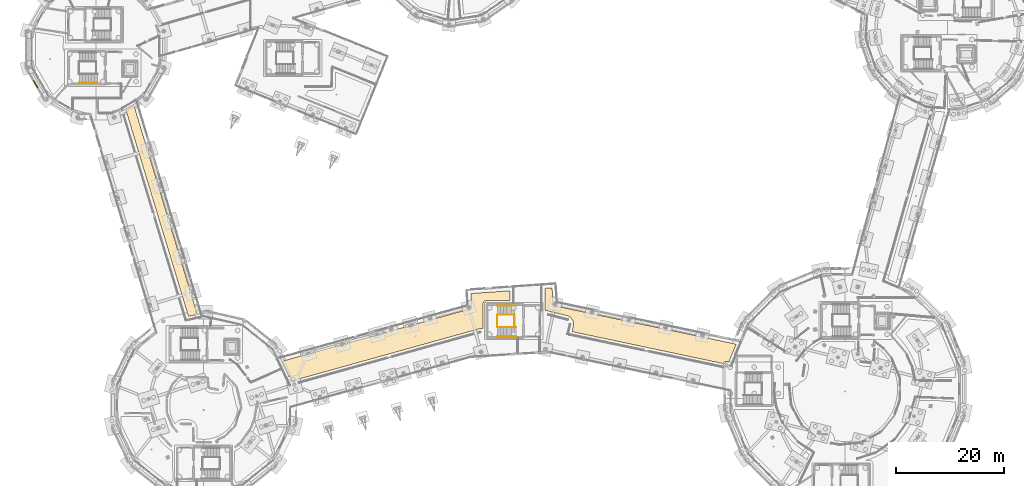
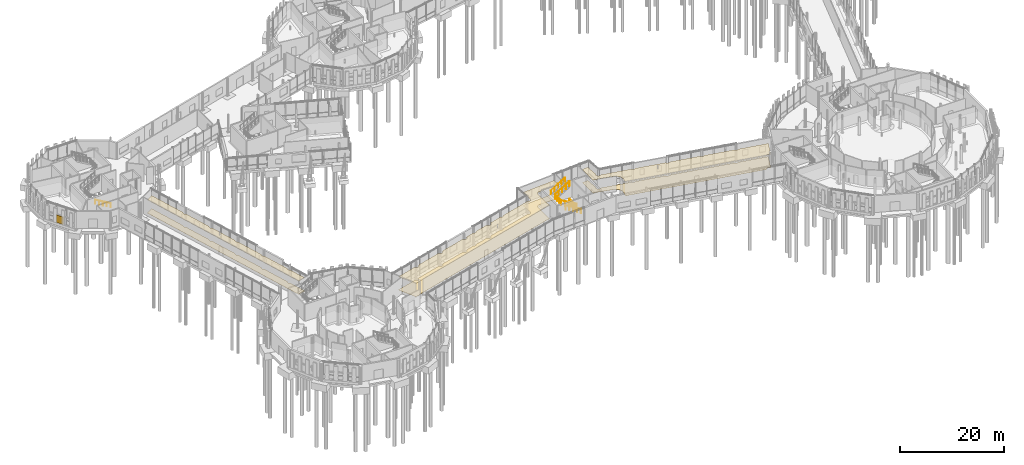
# One storey, part 108 of 113: 7 railings, 6 coverings, 1 shading device.
"""IFC4 building model written with IfcOpenShell, lengths in metres."""

from ifc_helpers import new_model, si_unit, direction, frame, origin, origin_2d, place, context, subcontext, project, spatial, polyline, rectangle, circle, outline, extrude, material, layer, layer_set, type_object, element, save


model = new_model("IFC4")

# Units and contexts
model_context = context("Model", 3, precision=1e-05, world=origin(), true_north=direction((0.0, 1.0)))
body_context = subcontext(model_context, "Body", "Model", "MODEL_VIEW")
ifc_project = project(units=[si_unit("LENGTHUNIT", "METRE"), si_unit("AREAUNIT", "SQUARE_METRE"), si_unit("VOLUMEUNIT", "CUBIC_METRE"), si_unit("PLANEANGLEUNIT", "RADIAN"), si_unit("MASSUNIT", "GRAM", prefix="KILO")], contexts=[model_context])

# Site, building, storey
site_placement = place(None, origin())
site = spatial("IfcSite", under=ifc_project, at=site_placement, CompositionType="ELEMENT")
building_placement = place(site_placement, origin())
building = spatial("IfcBuilding", under=site, at=building_placement, Name="Wrenclough Park School", CompositionType="ELEMENT")
storey_placement = place(building_placement, origin())
storey = spatial("IfcBuildingStorey", under=building, at=storey_placement, Name="L00", CompositionType="ELEMENT", Elevation=0.0)

# Shading device
ifc_material_1 = material(Name="Perforated Manchester multi-stock and Staffordshire blue-grey brick screen", Category="masonry")
ifc_layer_1 = layer(ifc_material_1, 0.114990234375)
ifc_layer_set_1 = layer_set([ifc_layer_1], Name="Perforated Manchester multi-stock and Staffordshire blue-grey brick screen")
shading_device_type = type_object("IfcShadingDeviceType", Name="ENV-BS-02", PredefinedType="USERDEFINED", material=ifc_layer_set_1)
shading_device_placement = place(storey_placement, frame((5.348388671875, 83.061767578125, 0.52978515625), z_axis=(0.0, 0.0, 1.0), x_axis=(0.499990505441, -0.866030885401, 0.0)))
element("IfcShadingDevice", 1, at=shading_device_placement, inside=storey, type_object=shading_device_type, Name="D3 L00 acoustic open-bond brick baffle 007", ObjectType="PERFORATED BRICK SCREEN", PredefinedType="USERDEFINED", context=body_context, shape_type="SweptSolid", body=[
    extrude(rectangle(XDim=1.60009765625, YDim=0.114990234375, at=origin_2d()), origin(), (0.0, 0.0, 1.0), 1.800048828125),
])

# Coverings
ifc_material_2 = material(Name="Class A mineral-fibre acoustic ceiling raft", Category="gypsum")
ifc_layer_2 = layer(ifc_material_2, 0.044921875)
ifc_layer_set_2 = layer_set([ifc_layer_2], Name="Class A mineral-fibre acoustic ceiling raft")
covering_type_1 = type_object("IfcCoveringType", Name="INT-COV-CEIL", PredefinedType="CEILING", material=ifc_layer_set_2)
covering_1_placement = place(storey_placement, frame((0.0, 0.0, 3.054931640625)))
element("IfcCovering", 2, at=covering_1_placement, inside=storey, type_object=covering_type_1, Name="Community Arts Classroom acoustic ceiling raft", PredefinedType="CEILING", context=body_context, shape_type="SweptSolid", body=[
    extrude(outline(polyline([(51.087158203125, 31.6591796875), (52.885498046875, 27.91259765625), (52.978515625, 27.972900390625), (53.04248046875, 28.003173828125), (53.177490234375, 28.044189453125), (53.318115234375, 28.05810546875), (53.388671875, 28.054443359375), (53.485595703125, 28.037353515625), (53.7041015625, 28.17724609375), (54.022705078125, 28.30322265625), (87.700439453125, 37.67431640625), (87.795654296875, 37.693359375), (88.159912109375, 37.73388671875), (88.232421875, 37.730712890625), (88.330078125, 37.713623046875), (88.330078125, 42.219970703125), (88.342529296875, 42.3466796875), (88.35791015625, 42.40869140625), (88.37939453125, 42.46875), (88.439453125, 42.5810546875), (88.4775390625, 42.63232421875), (88.567626953125, 42.722412109375), (88.673583984375, 42.793212890625), (88.791259765625, 42.842041015625), (88.916259765625, 42.866943359375), (93.35009765625, 42.8701171875), (93.35009765625, 44.71826171875), (86.081298828125, 44.209716796875), (86.225830078125, 42.142578125), (86.226806640625, 42.068603515625), (86.21923828125, 41.994873046875), (86.17578125, 41.82373046875), (86.19677734375, 41.749755859375), (86.20458984375, 41.696533203125), (86.20458984375, 41.58935546875), (86.19677734375, 41.5361328125), (86.16552734375, 41.43359375), (86.114990234375, 41.3388671875), (86.047119140625, 41.256103515625), (86.007080078125, 41.219970703125), (85.964111328125, 41.18798828125), (85.869384765625, 41.137451171875), (85.81884765625, 41.119384765625), (85.713623046875, 41.098388671875), (85.6064453125, 41.098388671875), (85.501220703125, 41.119384765625), (85.45068359375, 41.137451171875), (85.34814453125, 41.193603515625), (78.970703125, 39.418701171875), (78.927001953125, 39.3388671875), (78.89501953125, 39.2958984375), (78.819091796875, 39.219970703125), (78.72998046875, 39.160400390625), (78.630859375, 39.119384765625), (78.525634765625, 39.098388671875), (78.41845703125, 39.098388671875), (78.365234375, 39.106201171875), (78.2626953125, 39.137451171875), (78.16064453125, 39.193359375), (75.49658203125, 38.451904296875), (75.501220703125, 38.385009765625), (75.49072265625, 38.2783203125), (75.459716796875, 38.175537109375), (75.4091796875, 38.080810546875), (75.341064453125, 37.998046875), (75.258056640625, 37.929931640625), (75.163330078125, 37.87939453125), (75.11279296875, 37.861328125), (75.007568359375, 37.84033203125), (74.900390625, 37.84033203125), (74.795166015625, 37.861328125), (74.74462890625, 37.87939453125), (74.64990234375, 37.929931640625), (74.56689453125, 37.998046875), (74.498779296875, 38.080810546875), (74.45458984375, 38.162109375), (71.78369140625, 37.418701171875), (71.739990234375, 37.3388671875), (71.7080078125, 37.2958984375), (71.632080078125, 37.219970703125), (71.54296875, 37.160400390625), (71.44384765625, 37.119384765625), (71.338623046875, 37.098388671875), (71.2314453125, 37.098388671875), (71.17822265625, 37.106201171875), (71.07568359375, 37.137451171875), (70.9736328125, 37.193359375), (69.1357421875, 36.681884765625), (69.1357421875, 36.576416015625), (69.11474609375, 36.47119140625), (69.07373046875, 36.3720703125), (69.046142578125, 36.325927734375), (68.97802734375, 36.242919921875), (68.89501953125, 36.1748046875), (68.80029296875, 36.12451171875), (68.75, 36.106201171875), (68.64453125, 36.085205078125), (68.537353515625, 36.085205078125), (68.43212890625, 36.106201171875), (68.381591796875, 36.12451171875), (68.286865234375, 36.1748046875), (68.2041015625, 36.242919921875), (68.135986328125, 36.325927734375), (68.098388671875, 36.39306640625), (62.7744140625, 34.91162109375), (62.773681640625, 34.8212890625), (62.752685546875, 34.716064453125), (62.734619140625, 34.66552734375), (62.68408203125, 34.57080078125), (62.615966796875, 34.488037109375), (62.533203125, 34.419921875), (62.4384765625, 34.369384765625), (62.387939453125, 34.351318359375), (62.28271484375, 34.330322265625), (62.17529296875, 34.330322265625), (62.070068359375, 34.351318359375), (62.01953125, 34.369384765625), (61.9248046875, 34.419921875), (61.842041015625, 34.488037109375), (61.77392578125, 34.57080078125), (61.742919921875, 34.62451171875), (56.412353515625, 33.14111328125), (56.41064453125, 33.06640625), (56.3896484375, 32.961181640625), (56.37158203125, 32.91064453125), (56.321044921875, 32.81591796875), (56.2529296875, 32.73291015625), (56.170166015625, 32.664794921875), (56.075439453125, 32.614501953125), (56.02490234375, 32.59619140625), (55.919677734375, 32.5751953125), (55.8125, 32.5751953125), (55.70703125, 32.59619140625), (55.656494140625, 32.614501953125), (55.56201171875, 32.664794921875), (55.518798828125, 32.697021484375), (55.44287109375, 32.772705078125), (55.38720703125, 32.855712890625), (51.087158203125, 31.6591796875)])), origin(), (0.0, 0.0, 1.0), 0.045166015625),
])
covering_2_placement = place(storey_placement, frame((0.0, 0.0, 3.054931640625)))
element("IfcCovering", 3, at=covering_2_placement, inside=storey, type_object=covering_type_1, Name="Visitor Exhibition Gallery acoustic ceiling raft", PredefinedType="CEILING", context=body_context, shape_type="SweptSolid", body=[
    extrude(outline(polyline([(99.85009765625, 45.172607421875), (99.85009765625, 41.013916015625), (100.10009765625, 41.015380859375), (100.1787109375, 41.010986328125), (100.256103515625, 40.997314453125), (103.897705078125, 40.116943359375), (104.016845703125, 40.075439453125), (104.361083984375, 39.9169921875), (104.472412109375, 39.851806640625), (104.677978515625, 39.672119140625), (104.734130859375, 39.615478515625), (104.937744140625, 39.32421875), (104.9658203125, 39.279052734375), (105.01025390625, 39.1826171875), (105.081787109375, 38.986572265625), (105.104736328125, 38.91015625), (105.117919921875, 38.83154296875), (105.14697265625, 38.55712890625), (105.14599609375, 38.4130859375), (104.85400390625, 37.134033203125), (132.844970703125, 31.21728515625), (132.92431640625, 31.3369140625), (133.024169921875, 31.4365234375), (133.1416015625, 31.514892578125), (133.20556640625, 31.545166015625), (133.340576171875, 31.586181640625), (133.48095703125, 31.60009765625), (133.62158203125, 31.586181640625), (133.756591796875, 31.545166015625), (133.8203125, 31.514892578125), (133.920166015625, 31.44970703125), (135.309326171875, 34.80517578125), (129.39453125, 36.055419921875), (129.31396484375, 36.002197265625), (129.265380859375, 35.9794921875), (129.162841796875, 35.9482421875), (129.055908203125, 35.937744140625), (128.94921875, 35.9482421875), (128.8466796875, 35.9794921875), (128.798095703125, 36.002197265625), (128.708740234375, 36.06201171875), (128.6328125, 36.1376953125), (128.572265625, 36.229248046875), (122.56201171875, 37.499755859375), (122.48095703125, 37.4462890625), (122.432373046875, 37.42333984375), (122.329833984375, 37.39208984375), (122.222900390625, 37.381591796875), (122.1162109375, 37.39208984375), (122.013671875, 37.42333984375), (121.9189453125, 37.473876953125), (121.875732421875, 37.505859375), (121.7998046875, 37.581787109375), (121.739013671875, 37.673583984375), (115.7275390625, 38.944580078125), (115.64697265625, 38.891357421875), (115.598388671875, 38.868408203125), (115.495849609375, 38.837158203125), (115.388916015625, 38.82666015625), (115.2822265625, 38.837158203125), (115.1796875, 38.868408203125), (115.0849609375, 38.9189453125), (115.041748046875, 38.950927734375), (114.9658203125, 39.02685546875), (114.9052734375, 39.118408203125), (108.894775390625, 40.388671875), (108.81396484375, 40.335205078125), (108.765380859375, 40.3125), (108.662841796875, 40.28125), (108.555908203125, 40.270751953125), (108.44921875, 40.28125), (108.3466796875, 40.3125), (108.251953125, 40.36279296875), (108.208740234375, 40.39501953125), (108.1328125, 40.470703125), (108.072021484375, 40.562744140625), (102.061279296875, 41.833251953125), (101.98095703125, 41.7802734375), (101.932373046875, 41.75732421875), (101.829833984375, 41.726318359375), (101.776611328125, 41.71826171875), (101.66943359375, 41.71826171875), (101.564208984375, 41.7392578125), (101.513671875, 41.75732421875), (101.4189453125, 41.807861328125), (101.3359375, 41.8759765625), (101.2998046875, 41.915771484375), (101.267822265625, 41.958984375), (101.21728515625, 42.0537109375), (101.186279296875, 42.15625), (101.17822265625, 42.20947265625), (101.17822265625, 42.316650390625), (101.19921875, 42.421875), (101.240234375, 42.52099609375), (101.267822265625, 42.567138671875), (101.327880859375, 42.640869140625), (101.144287109375, 45.26318359375), (99.85009765625, 45.172607421875)])), origin(), (0.0, 0.0, 1.0), 0.045166015625),
])
covering_3_placement = place(storey_placement, frame((0.0, 0.0, 3.054931640625)))
element("IfcCovering", 4, at=covering_3_placement, inside=storey, type_object=covering_type_1, Name="Design Tutorial Studio L00 acoustic ceiling raft", PredefinedType="CEILING", context=body_context, shape_type="SweptSolid", body=[
    extrude(outline(polyline([(33.681884765625, 39.9697265625), (35.314697265625, 40.34228515625), (34.210693359375, 43.985107421875), (34.119873046875, 44.033935546875), (34.076904296875, 44.06591796875), (34.0009765625, 44.141845703125), (33.94140625, 44.23095703125), (33.900390625, 44.330078125), (33.87939453125, 44.435302734375), (33.87939453125, 44.54248046875), (33.900390625, 44.64794921875), (33.91845703125, 44.698486328125), (33.967041015625, 44.789794921875), (32.210693359375, 50.585205078125), (32.119873046875, 50.6337890625), (32.076904296875, 50.666015625), (32.0009765625, 50.74169921875), (31.94140625, 50.8310546875), (31.900390625, 50.93017578125), (31.87939453125, 51.035400390625), (31.87939453125, 51.142578125), (31.900390625, 51.247802734375), (31.91845703125, 51.29833984375), (31.967041015625, 51.389892578125), (30.210693359375, 57.18505859375), (30.119873046875, 57.23388671875), (30.076904296875, 57.265869140625), (30.0009765625, 57.341796875), (29.94140625, 57.430908203125), (29.900390625, 57.530029296875), (29.87939453125, 57.635498046875), (29.87939453125, 57.74267578125), (29.900390625, 57.847900390625), (29.91845703125, 57.8984375), (29.967041015625, 57.98974609375), (28.210693359375, 63.78515625), (28.119873046875, 63.833984375), (28.076904296875, 63.865966796875), (28.0009765625, 63.94189453125), (27.94140625, 64.031005859375), (27.900390625, 64.130126953125), (27.87939453125, 64.2353515625), (27.87939453125, 64.342529296875), (27.900390625, 64.447998046875), (27.91845703125, 64.498291015625), (27.967041015625, 64.58984375), (26.210693359375, 70.385009765625), (26.119873046875, 70.433837890625), (26.076904296875, 70.4658203125), (26.0009765625, 70.541748046875), (25.94140625, 70.631103515625), (25.900390625, 70.72998046875), (25.87939453125, 70.83544921875), (25.87939453125, 70.942626953125), (25.900390625, 71.0478515625), (25.91845703125, 71.098388671875), (25.967041015625, 71.189697265625), (23.565185546875, 79.115478515625), (22.076416015625, 78.256103515625), (33.681884765625, 39.9697265625)])), origin(), (0.0, 0.0, 1.0), 0.045166015625),
])
ifc_material_3 = material(Name="Acoustic natural linoleum school flooring", Category="wood")
ifc_layer_3 = layer(ifc_material_3, 0.014892578125)
ifc_layer_set_3 = layer_set([ifc_layer_3], Name="Acoustic natural linoleum school flooring")
covering_type_2 = type_object("IfcCoveringType", Name="INT-COV-FLOOR1", PredefinedType="FLOORING", material=ifc_layer_set_3)
covering_4_placement = place(storey_placement, origin())
element("IfcCovering", 5, at=covering_4_placement, inside=storey, type_object=covering_type_2, Name="Community Arts Classroom floor finish", PredefinedType="FLOORING", context=body_context, shape_type="SweptSolid", body=[
    extrude(outline(polyline([(51.087158203125, 31.6591796875), (52.885498046875, 27.91259765625), (52.978515625, 27.972900390625), (53.04248046875, 28.003173828125), (53.177490234375, 28.044189453125), (53.318115234375, 28.05810546875), (53.388671875, 28.054443359375), (53.485595703125, 28.037353515625), (53.7041015625, 28.17724609375), (54.022705078125, 28.30322265625), (87.700439453125, 37.67431640625), (87.795654296875, 37.693359375), (88.159912109375, 37.73388671875), (88.232421875, 37.730712890625), (88.330078125, 37.713623046875), (88.330078125, 42.219970703125), (88.342529296875, 42.3466796875), (88.35791015625, 42.40869140625), (88.37939453125, 42.46875), (88.439453125, 42.5810546875), (88.4775390625, 42.63232421875), (88.567626953125, 42.722412109375), (88.673583984375, 42.793212890625), (88.791259765625, 42.842041015625), (88.916259765625, 42.866943359375), (93.35009765625, 42.8701171875), (93.35009765625, 44.71826171875), (86.081298828125, 44.209716796875), (86.225830078125, 42.142578125), (86.226806640625, 42.068603515625), (86.21923828125, 41.994873046875), (86.17578125, 41.82373046875), (86.19677734375, 41.749755859375), (86.20458984375, 41.696533203125), (86.20458984375, 41.58935546875), (86.19677734375, 41.5361328125), (86.16552734375, 41.43359375), (86.114990234375, 41.3388671875), (86.047119140625, 41.256103515625), (86.007080078125, 41.219970703125), (85.964111328125, 41.18798828125), (85.869384765625, 41.137451171875), (85.81884765625, 41.119384765625), (85.713623046875, 41.098388671875), (85.6064453125, 41.098388671875), (85.501220703125, 41.119384765625), (85.45068359375, 41.137451171875), (85.34814453125, 41.193603515625), (78.970703125, 39.418701171875), (78.927001953125, 39.3388671875), (78.89501953125, 39.2958984375), (78.819091796875, 39.219970703125), (78.72998046875, 39.160400390625), (78.630859375, 39.119384765625), (78.525634765625, 39.098388671875), (78.41845703125, 39.098388671875), (78.365234375, 39.106201171875), (78.2626953125, 39.137451171875), (78.16064453125, 39.193359375), (75.49658203125, 38.451904296875), (75.501220703125, 38.385009765625), (75.49072265625, 38.2783203125), (75.459716796875, 38.175537109375), (75.4091796875, 38.080810546875), (75.341064453125, 37.998046875), (75.258056640625, 37.929931640625), (75.163330078125, 37.87939453125), (75.11279296875, 37.861328125), (75.007568359375, 37.84033203125), (74.900390625, 37.84033203125), (74.795166015625, 37.861328125), (74.74462890625, 37.87939453125), (74.64990234375, 37.929931640625), (74.56689453125, 37.998046875), (74.498779296875, 38.080810546875), (74.45458984375, 38.162109375), (71.78369140625, 37.418701171875), (71.739990234375, 37.3388671875), (71.7080078125, 37.2958984375), (71.632080078125, 37.219970703125), (71.54296875, 37.160400390625), (71.44384765625, 37.119384765625), (71.338623046875, 37.098388671875), (71.2314453125, 37.098388671875), (71.17822265625, 37.106201171875), (71.07568359375, 37.137451171875), (70.9736328125, 37.193359375), (69.1357421875, 36.681884765625), (69.1357421875, 36.576416015625), (69.11474609375, 36.47119140625), (69.07373046875, 36.3720703125), (69.046142578125, 36.325927734375), (68.97802734375, 36.242919921875), (68.89501953125, 36.1748046875), (68.80029296875, 36.12451171875), (68.75, 36.106201171875), (68.64453125, 36.085205078125), (68.537353515625, 36.085205078125), (68.43212890625, 36.106201171875), (68.381591796875, 36.12451171875), (68.286865234375, 36.1748046875), (68.2041015625, 36.242919921875), (68.135986328125, 36.325927734375), (68.098388671875, 36.39306640625), (62.7744140625, 34.91162109375), (62.773681640625, 34.8212890625), (62.752685546875, 34.716064453125), (62.734619140625, 34.66552734375), (62.68408203125, 34.57080078125), (62.615966796875, 34.488037109375), (62.533203125, 34.419921875), (62.4384765625, 34.369384765625), (62.387939453125, 34.351318359375), (62.28271484375, 34.330322265625), (62.17529296875, 34.330322265625), (62.070068359375, 34.351318359375), (62.01953125, 34.369384765625), (61.9248046875, 34.419921875), (61.842041015625, 34.488037109375), (61.77392578125, 34.57080078125), (61.742919921875, 34.62451171875), (56.412353515625, 33.14111328125), (56.41064453125, 33.06640625), (56.3896484375, 32.961181640625), (56.37158203125, 32.91064453125), (56.321044921875, 32.81591796875), (56.2529296875, 32.73291015625), (56.170166015625, 32.664794921875), (56.075439453125, 32.614501953125), (56.02490234375, 32.59619140625), (55.919677734375, 32.5751953125), (55.8125, 32.5751953125), (55.70703125, 32.59619140625), (55.656494140625, 32.614501953125), (55.56201171875, 32.664794921875), (55.518798828125, 32.697021484375), (55.44287109375, 32.772705078125), (55.38720703125, 32.855712890625), (51.087158203125, 31.6591796875)])), origin(), (0.0, 0.0, 1.0), 0.014892578125),
])
covering_5_placement = place(storey_placement, origin())
element("IfcCovering", 6, at=covering_5_placement, inside=storey, type_object=covering_type_2, Name="Visitor Exhibition Gallery floor finish", PredefinedType="FLOORING", context=body_context, shape_type="SweptSolid", body=[
    extrude(outline(polyline([(99.85009765625, 45.172607421875), (99.85009765625, 41.013916015625), (100.10009765625, 41.015380859375), (100.1787109375, 41.010986328125), (100.256103515625, 40.997314453125), (103.897705078125, 40.116943359375), (104.016845703125, 40.075439453125), (104.361083984375, 39.9169921875), (104.472412109375, 39.851806640625), (104.677978515625, 39.672119140625), (104.734130859375, 39.615478515625), (104.937744140625, 39.32421875), (104.9658203125, 39.279052734375), (105.01025390625, 39.1826171875), (105.081787109375, 38.986572265625), (105.104736328125, 38.91015625), (105.117919921875, 38.83154296875), (105.14697265625, 38.55712890625), (105.14599609375, 38.4130859375), (104.85400390625, 37.134033203125), (132.844970703125, 31.21728515625), (132.92431640625, 31.3369140625), (133.024169921875, 31.4365234375), (133.1416015625, 31.514892578125), (133.20556640625, 31.545166015625), (133.340576171875, 31.586181640625), (133.48095703125, 31.60009765625), (133.62158203125, 31.586181640625), (133.756591796875, 31.545166015625), (133.8203125, 31.514892578125), (133.920166015625, 31.44970703125), (135.309326171875, 34.80517578125), (129.39453125, 36.055419921875), (129.31396484375, 36.002197265625), (129.265380859375, 35.9794921875), (129.162841796875, 35.9482421875), (129.055908203125, 35.937744140625), (128.94921875, 35.9482421875), (128.8466796875, 35.9794921875), (128.798095703125, 36.002197265625), (128.708740234375, 36.06201171875), (128.6328125, 36.1376953125), (128.572265625, 36.229248046875), (122.56201171875, 37.499755859375), (122.48095703125, 37.4462890625), (122.432373046875, 37.42333984375), (122.329833984375, 37.39208984375), (122.222900390625, 37.381591796875), (122.1162109375, 37.39208984375), (122.013671875, 37.42333984375), (121.9189453125, 37.473876953125), (121.875732421875, 37.505859375), (121.7998046875, 37.581787109375), (121.739013671875, 37.673583984375), (115.7275390625, 38.944580078125), (115.64697265625, 38.891357421875), (115.598388671875, 38.868408203125), (115.495849609375, 38.837158203125), (115.388916015625, 38.82666015625), (115.2822265625, 38.837158203125), (115.1796875, 38.868408203125), (115.0849609375, 38.9189453125), (115.041748046875, 38.950927734375), (114.9658203125, 39.02685546875), (114.9052734375, 39.118408203125), (108.894775390625, 40.388671875), (108.81396484375, 40.335205078125), (108.765380859375, 40.3125), (108.662841796875, 40.28125), (108.555908203125, 40.270751953125), (108.44921875, 40.28125), (108.3466796875, 40.3125), (108.251953125, 40.36279296875), (108.208740234375, 40.39501953125), (108.1328125, 40.470703125), (108.072021484375, 40.562744140625), (102.061279296875, 41.833251953125), (101.98095703125, 41.7802734375), (101.932373046875, 41.75732421875), (101.829833984375, 41.726318359375), (101.776611328125, 41.71826171875), (101.66943359375, 41.71826171875), (101.564208984375, 41.7392578125), (101.513671875, 41.75732421875), (101.4189453125, 41.807861328125), (101.3359375, 41.8759765625), (101.2998046875, 41.915771484375), (101.267822265625, 41.958984375), (101.21728515625, 42.0537109375), (101.186279296875, 42.15625), (101.17822265625, 42.20947265625), (101.17822265625, 42.316650390625), (101.19921875, 42.421875), (101.240234375, 42.52099609375), (101.267822265625, 42.567138671875), (101.327880859375, 42.640869140625), (101.144287109375, 45.26318359375), (99.85009765625, 45.172607421875)])), origin(), (0.0, 0.0, 1.0), 0.014892578125),
])
covering_6_placement = place(storey_placement, origin())
element("IfcCovering", 7, at=covering_6_placement, inside=storey, type_object=covering_type_2, Name="Design Tutorial Studio L00 floor finish", PredefinedType="FLOORING", context=body_context, shape_type="SweptSolid", body=[
    extrude(outline(polyline([(33.681884765625, 39.9697265625), (35.314697265625, 40.34228515625), (34.210693359375, 43.985107421875), (34.119873046875, 44.033935546875), (34.076904296875, 44.06591796875), (34.0009765625, 44.141845703125), (33.94140625, 44.23095703125), (33.900390625, 44.330078125), (33.87939453125, 44.435302734375), (33.87939453125, 44.54248046875), (33.900390625, 44.64794921875), (33.91845703125, 44.698486328125), (33.967041015625, 44.789794921875), (32.210693359375, 50.585205078125), (32.119873046875, 50.6337890625), (32.076904296875, 50.666015625), (32.0009765625, 50.74169921875), (31.94140625, 50.8310546875), (31.900390625, 50.93017578125), (31.87939453125, 51.035400390625), (31.87939453125, 51.142578125), (31.900390625, 51.247802734375), (31.91845703125, 51.29833984375), (31.967041015625, 51.389892578125), (30.210693359375, 57.18505859375), (30.119873046875, 57.23388671875), (30.076904296875, 57.265869140625), (30.0009765625, 57.341796875), (29.94140625, 57.430908203125), (29.900390625, 57.530029296875), (29.87939453125, 57.635498046875), (29.87939453125, 57.74267578125), (29.900390625, 57.847900390625), (29.91845703125, 57.8984375), (29.967041015625, 57.98974609375), (28.210693359375, 63.78515625), (28.119873046875, 63.833984375), (28.076904296875, 63.865966796875), (28.0009765625, 63.94189453125), (27.94140625, 64.031005859375), (27.900390625, 64.130126953125), (27.87939453125, 64.2353515625), (27.87939453125, 64.342529296875), (27.900390625, 64.447998046875), (27.91845703125, 64.498291015625), (27.967041015625, 64.58984375), (26.210693359375, 70.385009765625), (26.119873046875, 70.433837890625), (26.076904296875, 70.4658203125), (26.0009765625, 70.541748046875), (25.94140625, 70.631103515625), (25.900390625, 70.72998046875), (25.87939453125, 70.83544921875), (25.87939453125, 70.942626953125), (25.900390625, 71.0478515625), (25.91845703125, 71.098388671875), (25.967041015625, 71.189697265625), (23.565185546875, 79.115478515625), (22.076416015625, 78.256103515625), (33.681884765625, 39.9697265625)])), origin(), (0.0, 0.0, 1.0), 0.014892578125),
])

# Railings
ifc_material_4 = material(Name="Powder-coated steel vertical-baluster stair and atrium guard", Category="steel")
railing_type_1 = type_object("IfcRailingType", Name="INT-RL-GD1120", PredefinedType="GUARDRAIL", material=ifc_material_4)
railing_1_placement = place(storey_placement, frame((94.195068359375, 37.949951171875, 0.0)))
element("IfcRailing", 8, at=railing_1_placement, inside=storey, type_object=railing_type_1, Name="ST-10 L00 well guard 1", PredefinedType="GUARDRAIL", context=body_context, shape_type="SweptSolid", body=[
    extrude(circle(Radius=0.02392578125, at=origin_2d()), frame((0.0, 0.0, 1.09619140625), z_axis=(0.0, 1.0, 0.0), x_axis=(-1.0, 0.0, 0.0)), (0.0, 0.0, 1.0), 2.300048828125),
    extrude(circle(Radius=0.02099609375, at=origin_2d()), origin(), (0.0, 0.0, 1.0), 1.072021484375),
    extrude(circle(Radius=0.02099609375, at=origin_2d()), frame((0.0, 0.7666015625, 0.0)), (0.0, 0.0, 1.0), 1.072021484375),
    extrude(circle(Radius=0.02099609375, at=origin_2d()), frame((0.0, 1.533447265625, 0.0)), (0.0, 0.0, 1.0), 1.072021484375),
    extrude(circle(Radius=0.02099609375, at=origin_2d()), frame((0.0, 2.300048828125, 0.0)), (0.0, 0.0, 1.0), 1.072021484375),
])
railing_2_placement = place(storey_placement, frame((94.43994140625, 37.949951171875, 0.16796875)))
element("IfcRailing", 9, at=railing_2_placement, inside=storey, type_object=railing_type_1, Name="ST-10 L00 well guard 2", PredefinedType="GUARDRAIL", context=body_context, shape_type="SweptSolid", body=[
    extrude(circle(Radius=0.02392578125, at=origin_2d()), frame((0.0, 0.0, 1.09619140625), z_axis=(-0.861450067461, 0.0, 0.507842279918), x_axis=(0.0, -1.0, 0.0)), (0.0, 0.0, 1.0), 3.969970703125),
    extrude(circle(Radius=0.02099609375, at=origin_2d()), origin(), (0.0, 0.0, 1.0), 1.072021484375),
    extrude(circle(Radius=0.02099609375, at=origin_2d()), frame((-0.85498046875, 0.0, 0.50390625)), (0.0, 0.0, 1.0), 1.072021484375),
    extrude(circle(Radius=0.02099609375, at=origin_2d()), frame((-1.7099609375, 0.0, 1.008056640625)), (0.0, 0.0, 1.0), 1.072021484375),
    extrude(circle(Radius=0.02099609375, at=origin_2d()), frame((-2.56494140625, 0.0, 1.51220703125)), (0.0, 0.0, 1.0), 1.072021484375),
    extrude(circle(Radius=0.02099609375, at=origin_2d()), frame((-3.419921875, 0.0, 2.01611328125)), (0.0, 0.0, 1.0), 1.072021484375),
])
railing_3_placement = place(storey_placement, frame((90.97998046875, 37.949951171875, 2.18408203125)))
element("IfcRailing", 10, at=railing_3_placement, inside=storey, type_object=railing_type_1, Name="ST-10 L00 well guard 3", PredefinedType="GUARDRAIL", context=body_context, shape_type="SweptSolid", body=[
    extrude(circle(Radius=0.02392578125, at=origin_2d()), frame((0.0, 0.0, 1.09619140625), z_axis=(0.0, 1.0, 0.0), x_axis=(-1.0, 0.0, 0.0)), (0.0, 0.0, 1.0), 2.300048828125),
    extrude(circle(Radius=0.02099609375, at=origin_2d()), origin(), (0.0, 0.0, 1.0), 1.072021484375),
    extrude(circle(Radius=0.02099609375, at=origin_2d()), frame((0.0, 0.7666015625, 0.0)), (0.0, 0.0, 1.0), 1.072021484375),
    extrude(circle(Radius=0.02099609375, at=origin_2d()), frame((0.0, 1.533447265625, 0.0)), (0.0, 0.0, 1.0), 1.072021484375),
    extrude(circle(Radius=0.02099609375, at=origin_2d()), frame((0.0, 2.300048828125, 0.0)), (0.0, 0.0, 1.0), 1.072021484375),
])
railing_4_placement = place(storey_placement, frame((91.02001953125, 40.25, 2.35205078125)))
element("IfcRailing", 11, at=railing_4_placement, inside=storey, type_object=railing_type_1, Name="ST-10 L00 well guard 4", PredefinedType="GUARDRAIL", context=body_context, shape_type="SweptSolid", body=[
    extrude(circle(Radius=0.02392578125, at=origin_2d()), frame((0.0, 0.0, 1.09619140625), z_axis=(0.861480291558, 0.0, 0.50779100746), x_axis=(0.0, 1.0, 0.0)), (0.0, 0.0, 1.0), 3.63916015625),
    extrude(circle(Radius=0.02099609375, at=origin_2d()), origin(), (0.0, 0.0, 1.0), 1.072021484375),
    extrude(circle(Radius=0.02099609375, at=origin_2d()), frame((0.78369140625, 0.0, 0.4619140625)), (0.0, 0.0, 1.0), 1.072021484375),
    extrude(circle(Radius=0.02099609375, at=origin_2d()), frame((1.5673828125, 0.0, 0.923828125)), (0.0, 0.0, 1.0), 1.072021484375),
    extrude(circle(Radius=0.02099609375, at=origin_2d()), frame((2.351318359375, 0.0, 1.385986328125)), (0.0, 0.0, 1.0), 1.072021484375),
    extrude(circle(Radius=0.02099609375, at=origin_2d()), frame((3.135009765625, 0.0, 1.847900390625)), (0.0, 0.0, 1.0), 1.072021484375),
])
ifc_material_5 = material(Name="Brushed stainless steel tubular handrail", Category="steel")
railing_type_2 = type_object("IfcRailingType", Name="INT-RL-HR950", PredefinedType="HANDRAIL", material=ifc_material_5)
railing_5_placement = place(storey_placement, frame((16.840087890625, 83.25, 0.16796875)))
element("IfcRailing", 12, at=railing_5_placement, inside=storey, type_object=railing_type_2, Name="ST-03 L00 pitch handrail 1", PredefinedType="HANDRAIL", context=body_context, shape_type="SweptSolid", body=[
    extrude(circle(Radius=0.02392578125, at=origin_2d()), frame((0.0, 0.0, 0.92578125), z_axis=(-0.861465926511, 0.0, 0.507815377338), x_axis=(0.0, -1.0, 0.0)), (0.0, 0.0, 1.0), 3.97021484375),
    extrude(circle(Radius=0.02099609375, at=origin_2d()), origin(), (0.0, 0.0, 1.0), 0.90185546875),
    extrude(circle(Radius=0.02099609375, at=origin_2d()), frame((-0.85498046875, 0.0, 0.50390625)), (0.0, 0.0, 1.0), 0.90185546875),
    extrude(circle(Radius=0.02099609375, at=origin_2d()), frame((-1.7099609375, 0.0, 1.008056640625)), (0.0, 0.0, 1.0), 0.90185546875),
    extrude(circle(Radius=0.02099609375, at=origin_2d()), frame((-2.565185546875, 0.0, 1.51220703125)), (0.0, 0.0, 1.0), 0.90185546875),
    extrude(circle(Radius=0.02099609375, at=origin_2d()), frame((-3.420166015625, 0.0, 2.01611328125)), (0.0, 0.0, 1.0), 0.90185546875),
])
railing_6_placement = place(storey_placement, frame((94.43994140625, 36.25, 0.16796875)))
element("IfcRailing", 13, at=railing_6_placement, inside=storey, type_object=railing_type_2, Name="ST-10 L00 pitch handrail 1", PredefinedType="HANDRAIL", context=body_context, shape_type="SweptSolid", body=[
    extrude(circle(Radius=0.02392578125, at=origin_2d()), frame((0.0, 0.0, 0.92578125), z_axis=(-0.861450067461, 0.0, 0.507842279918), x_axis=(0.0, -1.0, 0.0)), (0.0, 0.0, 1.0), 3.969970703125),
    extrude(circle(Radius=0.02099609375, at=origin_2d()), origin(), (0.0, 0.0, 1.0), 0.90185546875),
    extrude(circle(Radius=0.02099609375, at=origin_2d()), frame((-0.85498046875, 0.0, 0.50390625)), (0.0, 0.0, 1.0), 0.90185546875),
    extrude(circle(Radius=0.02099609375, at=origin_2d()), frame((-1.7099609375, 0.0, 1.008056640625)), (0.0, 0.0, 1.0), 0.90185546875),
    extrude(circle(Radius=0.02099609375, at=origin_2d()), frame((-2.56494140625, 0.0, 1.51220703125)), (0.0, 0.0, 1.0), 0.90185546875),
    extrude(circle(Radius=0.02099609375, at=origin_2d()), frame((-3.419921875, 0.0, 2.01611328125)), (0.0, 0.0, 1.0), 0.90185546875),
])
railing_7_placement = place(storey_placement, frame((91.02001953125, 41.949951171875, 2.35205078125)))
element("IfcRailing", 14, at=railing_7_placement, inside=storey, type_object=railing_type_2, Name="ST-10 L00 pitch handrail 2", PredefinedType="HANDRAIL", context=body_context, shape_type="SweptSolid", body=[
    extrude(circle(Radius=0.02392578125, at=origin_2d()), frame((0.0, 0.0, 0.92578125), z_axis=(0.861480291558, 0.0, 0.50779100746), x_axis=(0.0, 1.0, 0.0)), (0.0, 0.0, 1.0), 3.63916015625),
    extrude(circle(Radius=0.02099609375, at=origin_2d()), origin(), (0.0, 0.0, 1.0), 0.90185546875),
    extrude(circle(Radius=0.02099609375, at=origin_2d()), frame((0.78369140625, 0.0, 0.4619140625)), (0.0, 0.0, 1.0), 0.90185546875),
    extrude(circle(Radius=0.02099609375, at=origin_2d()), frame((1.5673828125, 0.0, 0.923828125)), (0.0, 0.0, 1.0), 0.90185546875),
    extrude(circle(Radius=0.02099609375, at=origin_2d()), frame((2.351318359375, 0.0, 1.385986328125)), (0.0, 0.0, 1.0), 0.90185546875),
    extrude(circle(Radius=0.02099609375, at=origin_2d()), frame((3.135009765625, 0.0, 1.847900390625)), (0.0, 0.0, 1.0), 0.90185546875),
])

save(model, "model.ifc")
